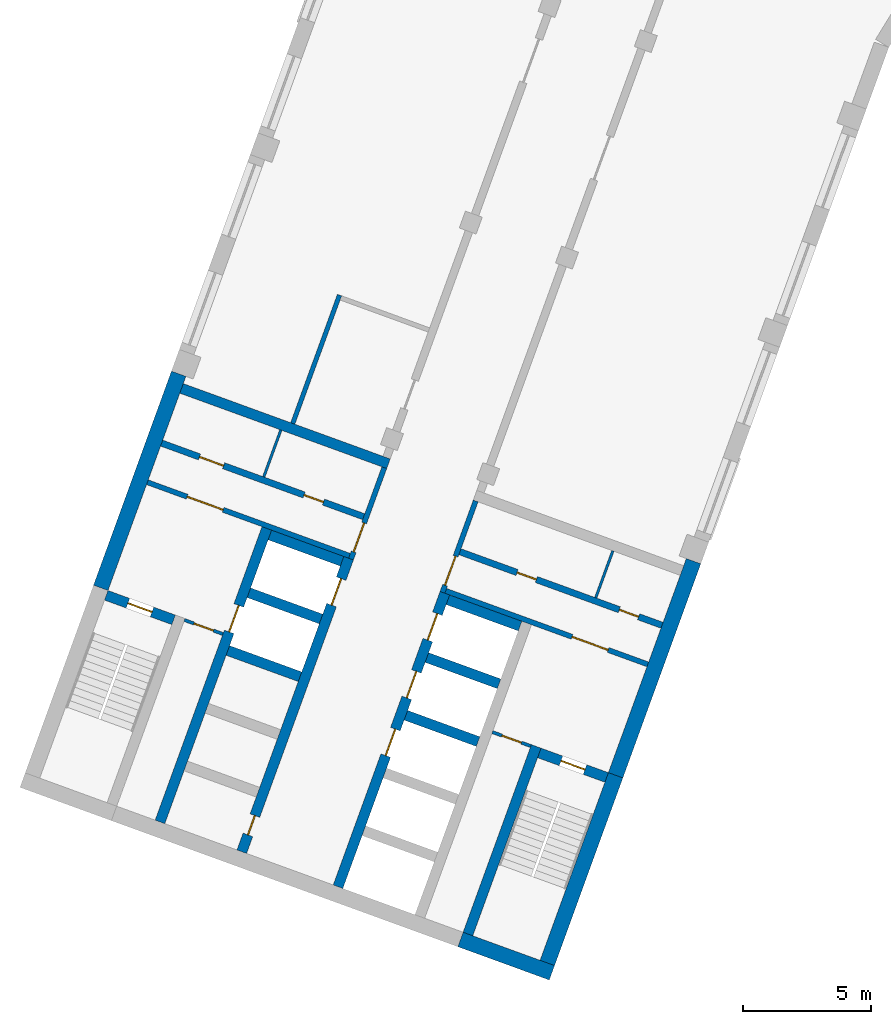
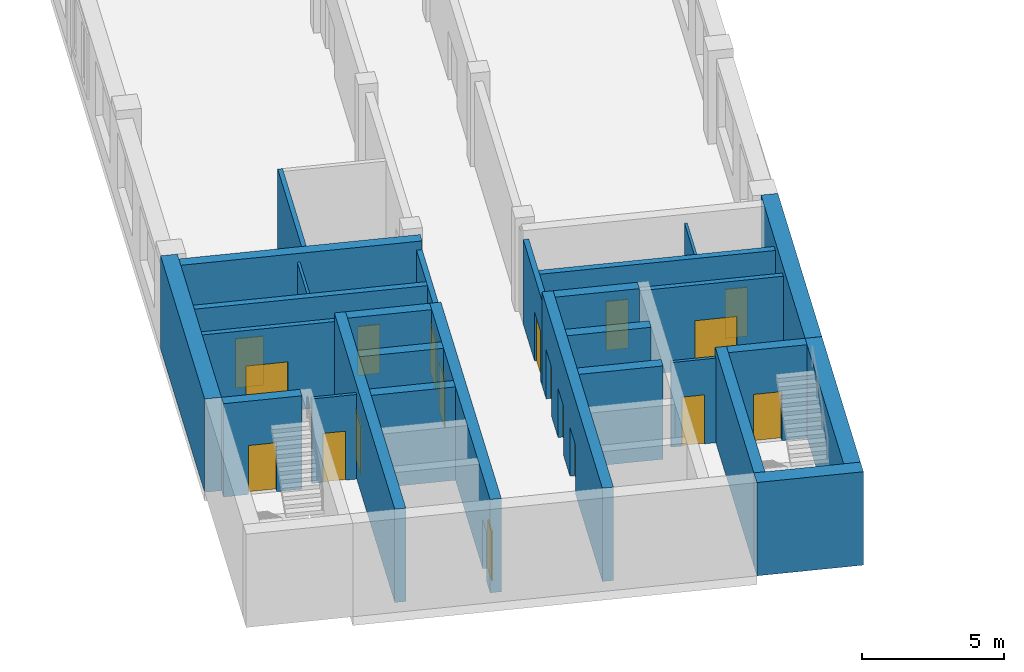
# One storey, part 2 of 12: 28 walls, 18 doors, 18 openings.
"""IFC4 building model written with IfcOpenShell, lengths in metres."""

from ifc_helpers import new_model, si_unit, direction, frame, frame_2d, origin, place, context, subcontext, project, spatial, rectangle, extrude, material, layer, layer_set, type_object, element, fill, save


model = new_model("IFC4")

# Units and contexts
model_context = context("Model", 3, precision=1e-05, world=origin(), true_north=direction((0.0, 1.0)))
body_context = subcontext(model_context, "Body", "Model", "MODEL_VIEW")
ifc_project = project(units=[si_unit("LENGTHUNIT", "METRE"), si_unit("AREAUNIT", "SQUARE_METRE"), si_unit("VOLUMEUNIT", "CUBIC_METRE"), si_unit("PLANEANGLEUNIT", "RADIAN"), si_unit("MASSUNIT", "GRAM", prefix="KILO")], contexts=[model_context])

# Site, building, storey
site_placement = place(None, origin())
site = spatial("IfcSite", under=ifc_project, at=site_placement, CompositionType="ELEMENT")
building_placement = place(site_placement, origin())
building = spatial("IfcBuilding", under=site, at=building_placement, Name="Skarvind Civic Tower", CompositionType="ELEMENT")
storey_placement = place(building_placement, frame((0.0, 0.0, 71.5)))
storey = spatial("IfcBuildingStorey", under=building, at=storey_placement, Name="L16", CompositionType="ELEMENT", Elevation=71.5)

# Wall
ifc_material_1 = material(Name="Acoustic gypsum board on steel studs", Category="steel")
ifc_layer_1 = layer(ifc_material_1, 0.175048828125)
ifc_layer_set_1 = layer_set([ifc_layer_1], Name="ACOUSTIC MEETING-ROOM PARTITION 175")
wall_type_1 = type_object("IfcWallType", Name="ACOUSTIC MEETING-ROOM PARTITION 175", PredefinedType="PARTITIONING", material=ifc_layer_set_1)
wall_1_placement = place(storey_placement, frame((29.216064453125, 98.990966796875, 0.0), z_axis=(0.0, 0.0, 1.0), x_axis=(0.342113991093, 0.939658457685, 0.0)))
element("IfcWall", 1, at=wall_1_placement, inside=storey, type_object=wall_type_1, Name="Partition 16.001", PredefinedType="PARTITIONING", context=body_context, shape_type="SweptSolid", body=[
    extrude(rectangle(XDim=5.337158203125, YDim=0.175048828125, at=frame_2d((2.66845703125, 0.0))), origin(), (0.0, 0.0, 1.0), 3.625),
])

# Wall, opening, door
ifc_material_2 = material(Name="Fire-rated masonry partition", Category="masonry")
ifc_layer_2 = layer(ifc_material_2, 0.199951171875)
ifc_layer_set_2 = layer_set([ifc_layer_2], Name="Core enclosure wall 200")
wall_type_2 = type_object("IfcWallType", Name="Core enclosure wall 200", PredefinedType="PARTITIONING", material=ifc_layer_set_2)
wall_2_placement = place(storey_placement, frame((31.491455078125, 93.693359375, 0.0), z_axis=(0.0, 0.0, 1.0), x_axis=(0.341995824804, 0.939701471648, 0.0)))
wall_2 = element("IfcWall", 2, at=wall_2_placement, inside=storey, type_object=wall_type_2, Name="Core wall C2", PredefinedType="PARTITIONING", context=body_context, shape_type="SweptSolid", body=[
    extrude(rectangle(XDim=3.800048828125, YDim=0.199951171875, at=frame_2d((1.89990234375, 0.0))), origin(), (0.0, 0.0, 1.0), 3.625),
])
opening_1_placement = place(wall_2_placement, frame((0.300048828125, 0.0, 0.0)))
opening_1 = element("IfcOpeningElement", 3, at=opening_1_placement, cuts=wall_2, Name="Opening D-L16-C2-06", PredefinedType="OPENING", context=body_context, shape_type="SweptSolid", body=[
    extrude(rectangle(XDim=1.199951171875, YDim=2.10009765625, at=frame_2d((0.60009765625, 1.050048828125))), frame((0.0, 0.10986328125, 0.0), z_axis=(0.0, -1.0, 0.0), x_axis=(1.0, 0.0, 0.0)), (0.0, 0.0, 1.0), 0.219970703125),
])
ifc_material_3 = material(Name="Fire-rated steel door", Category="steel")
door_type_1 = type_object("IfcDoorType", Name="Core lobby door 1200", OperationType="NOTDEFINED", PredefinedType="DOOR", material=ifc_material_3)
door_1_placement = place(opening_1_placement, origin())
door_1 = element("IfcDoor", 4, at=door_1_placement, inside=storey, type_object=door_type_1, Name="Fire door", OperationType="DOUBLE_DOOR_SINGLE_SWING", OverallHeight=2.10009765625, OverallWidth=1.199951171875, PredefinedType="DOOR", context=body_context, shape_type="SweptSolid", body=[
    extrude(rectangle(XDim=1.199951171875, YDim=2.10009765625, at=frame_2d((0.60009765625, 1.050048828125))), frame((0.0, 0.02490234375, 0.0), z_axis=(0.0, -1.0, 0.0), x_axis=(1.0, 0.0, 0.0)), (0.0, 0.0, 1.0), 0.050048828125),
])
fill(opening_1, door_1)

wall_3_placement = place(storey_placement, frame((23.5380859375, 96.6943359375, 0.0), z_axis=(0.0, 0.0, 1.0), x_axis=(0.939691552312, -0.342023078919, 0.0)))
wall_3 = element("IfcWall", 5, at=wall_3_placement, inside=storey, type_object=wall_type_2, Name="Core wall C2", PredefinedType="PARTITIONING", context=body_context, shape_type="SweptSolid", body=[
    extrude(rectangle(XDim=8.400146484375, YDim=0.199951171875, at=frame_2d((4.2001953125, 0.0))), origin(), (0.0, 0.0, 1.0), 3.625),
])
opening_2_placement = place(wall_3_placement, frame((1.64990234375, 0.0, 0.0)))
opening_2 = element("IfcOpeningElement", 6, at=opening_2_placement, cuts=wall_3, Name="Opening D-L16-C2-07", PredefinedType="OPENING", context=body_context, shape_type="SweptSolid", body=[
    extrude(rectangle(XDim=1.5, YDim=2.10009765625, at=frame_2d((0.75, 1.050048828125))), frame((0.0, 0.10986328125, 0.0), z_axis=(0.0, -1.0, 0.0), x_axis=(1.0, 0.0, 0.0)), (0.0, 0.0, 1.0), 0.219970703125),
])
door_type_2 = type_object("IfcDoorType", Name="Fire door 1500", OperationType="NOTDEFINED", PredefinedType="DOOR", material=ifc_material_3)
door_2_placement = place(opening_2_placement, origin())
door_2 = element("IfcDoor", 7, at=door_2_placement, inside=storey, type_object=door_type_2, Name="Fire door", OperationType="DOUBLE_DOOR_SINGLE_SWING", OverallHeight=2.10009765625, OverallWidth=1.5, PredefinedType="DOOR", context=body_context, shape_type="SweptSolid", body=[
    extrude(rectangle(XDim=1.5, YDim=2.10009765625, at=frame_2d((0.75, 1.050048828125))), frame((0.0, 0.02490234375, 0.0), z_axis=(0.0, -1.0, 0.0), x_axis=(1.0, 0.0, 0.0)), (0.0, 0.0, 1.0), 0.050048828125),
])
fill(opening_2, door_2)

wall_4_placement = place(storey_placement, frame((36.36181640625, 95.96435546875, 0.0), z_axis=(0.0, 0.0, 1.0), x_axis=(-0.341995824804, -0.939701471648, 0.0)))
wall_4 = element("IfcWall", 8, at=wall_4_placement, inside=storey, type_object=wall_type_2, Name="Core wall C2", PredefinedType="PARTITIONING", context=body_context, shape_type="SweptSolid", body=[
    extrude(rectangle(XDim=3.800048828125, YDim=0.199951171875, at=frame_2d((1.89990234375, 0.0))), origin(), (0.0, 0.0, 1.0), 3.625),
])
opening_3_placement = place(wall_4_placement, frame((2.300048828125, 0.0, 0.0)))
opening_3 = element("IfcOpeningElement", 9, at=opening_3_placement, cuts=wall_4, Name="Opening D-L16-C2-12", PredefinedType="OPENING", context=body_context, shape_type="SweptSolid", body=[
    extrude(rectangle(XDim=1.199951171875, YDim=2.10009765625, at=frame_2d((0.60009765625, 1.050048828125))), frame((0.0, 0.10986328125, 0.0), z_axis=(0.0, -1.0, 0.0), x_axis=(1.0, 0.0, 0.0)), (0.0, 0.0, 1.0), 0.219970703125),
])
door_3_placement = place(opening_3_placement, origin())
door_3 = element("IfcDoor", 10, at=door_3_placement, inside=storey, type_object=door_type_1, Name="Fire door", OperationType="DOUBLE_DOOR_SINGLE_SWING", OverallHeight=2.10009765625, OverallWidth=1.199951171875, PredefinedType="DOOR", context=body_context, shape_type="SweptSolid", body=[
    extrude(rectangle(XDim=1.199951171875, YDim=2.10009765625, at=frame_2d((0.60009765625, 1.050048828125))), frame((0.0, 0.02490234375, 0.0), z_axis=(0.0, -1.0, 0.0), x_axis=(1.0, 0.0, 0.0)), (0.0, 0.0, 1.0), 0.050048828125),
])
fill(opening_3, door_3)

wall_5_placement = place(storey_placement, frame((35.1904296875, 92.453369140625, 0.0), z_axis=(0.0, 0.0, 1.0), x_axis=(0.939691552312, -0.342023078919, 0.0)))
wall_5 = element("IfcWall", 11, at=wall_5_placement, inside=storey, type_object=wall_type_2, Name="Core wall C2", PredefinedType="PARTITIONING", context=body_context, shape_type="SweptSolid", body=[
    extrude(rectangle(XDim=8.400146484375, YDim=0.199951171875, at=frame_2d((4.2001953125, 0.0))), origin(), (0.0, 0.0, 1.0), 3.625),
])
opening_4_placement = place(wall_5_placement, frame((5.25, 0.0, 0.0)))
opening_4 = element("IfcOpeningElement", 12, at=opening_4_placement, cuts=wall_5, Name="Opening D-L16-C2-13", PredefinedType="OPENING", context=body_context, shape_type="SweptSolid", body=[
    extrude(rectangle(XDim=1.5, YDim=2.10009765625, at=frame_2d((0.75, 1.050048828125))), frame((0.0, 0.10986328125, 0.0), z_axis=(0.0, -1.0, 0.0), x_axis=(1.0, 0.0, 0.0)), (0.0, 0.0, 1.0), 0.219970703125),
])
door_4_placement = place(opening_4_placement, origin())
door_4 = element("IfcDoor", 13, at=door_4_placement, inside=storey, type_object=door_type_2, Name="Fire door", OperationType="DOUBLE_DOOR_SINGLE_SWING", OverallHeight=2.10009765625, OverallWidth=1.5, PredefinedType="DOOR", context=body_context, shape_type="SweptSolid", body=[
    extrude(rectangle(XDim=1.5, YDim=2.10009765625, at=frame_2d((0.75, 1.050048828125))), frame((0.0, 0.02490234375, 0.0), z_axis=(0.0, -1.0, 0.0), x_axis=(1.0, 0.0, 0.0)), (0.0, 0.0, 1.0), 0.050048828125),
])
fill(opening_4, door_4)

# Walls
ifc_material_4 = material(Name="Fire-rated plasterboard partition")
ifc_layer_3 = layer(ifc_material_4, 0.10009765625)
ifc_layer_set_3 = layer_set([ifc_layer_3], Name="Core partition wall 100")
wall_type_3 = type_object("IfcWallType", Name="Core partition wall 100", PredefinedType="PARTITIONING", material=ifc_layer_set_3)
wall_6_placement = place(storey_placement, frame((28.08349609375, 96.90234375, 0.0), z_axis=(0.0, 0.0, 1.0), x_axis=(0.342024501273, 0.939691034611, 0.0)))
element("IfcWall", 14, at=wall_6_placement, inside=storey, type_object=wall_type_3, Name="Core wall C2", PredefinedType="PARTITIONING", context=body_context, shape_type="SweptSolid", body=[
    extrude(rectangle(XDim=1.9501953125, YDim=0.10009765625, at=frame_2d((0.97509765625, 0.0))), origin(), (0.0, 0.0, 1.0), 3.625),
])
wall_7_placement = place(storey_placement, frame((41.71826171875, 94.014892578125, 0.0), z_axis=(0.0, 0.0, 1.0), x_axis=(-0.342064742067, -0.939676386973, 0.0)))
element("IfcWall", 15, at=wall_7_placement, inside=storey, type_object=wall_type_3, Name="Core wall C2", PredefinedType="PARTITIONING", context=body_context, shape_type="SweptSolid", body=[
    extrude(rectangle(XDim=1.949951171875, YDim=0.10009765625, at=frame_2d((0.97509765625, 0.0))), origin(), (0.0, 0.0, 1.0), 3.625),
])
ifc_material_5 = material(Name="Concrete C80", Category="concrete")
ifc_layer_4 = layer(ifc_material_5, 0.39990234375)
ifc_layer_set_4 = layer_set([ifc_layer_4], Name="Core wall 400 C80")
wall_type_4 = type_object("IfcWallType", Name="Core wall 400 C80", PredefinedType="SHEAR", material=ifc_layer_set_4)
wall_8_placement = place(storey_placement, frame((36.057861328125, 79.04833984375, 0.0), z_axis=(0.0, 0.0, 1.0), x_axis=(0.342016982193, 0.939693771338, 0.0)))
element("IfcWall", 16, at=wall_8_placement, inside=storey, type_object=wall_type_4, Name="Core wall C2 south stair inner L16", PredefinedType="SHEAR", context=body_context, shape_type="SweptSolid", body=[
    extrude(rectangle(XDim=7.800048828125, YDim=0.39990234375, at=frame_2d((3.89990234375, 0.0))), origin(), (0.0, 0.0, 1.0), 4.0),
])

# Wall, opening, door
wall_9_placement = place(storey_placement, frame((41.476318359375, 85.163818359375, 0.0), z_axis=(0.0, 0.0, 1.0), x_axis=(-0.939678810556, 0.342058084236, 0.0)))
wall_9 = element("IfcWall", 17, at=wall_9_placement, inside=storey, type_object=wall_type_4, Name="Core wall C2 south stair end L16", PredefinedType="SHEAR", context=body_context, shape_type="SweptSolid", body=[
    extrude(rectangle(XDim=2.800048828125, YDim=0.39990234375, at=frame_2d((1.39990234375, 0.0))), origin(), (0.0, 0.0, 1.0), 4.0),
])
opening_5_placement = place(wall_9_placement, frame((0.89990234375, 0.0, 0.0)))
opening_5 = element("IfcOpeningElement", 18, at=opening_5_placement, cuts=wall_9, Name="Opening D-L16-C2-14", PredefinedType="OPENING", context=body_context, shape_type="SweptSolid", body=[
    extrude(rectangle(XDim=1.0, YDim=2.10009765625, at=frame_2d((0.5, 1.050048828125))), frame((0.0, 0.2099609375, 0.0), z_axis=(0.0, -1.0, 0.0), x_axis=(1.0, 0.0, 0.0)), (0.0, 0.0, 1.0), 0.419921875),
])
door_type_3 = type_object("IfcDoorType", Name="Fire door 1000", OperationType="NOTDEFINED", PredefinedType="DOOR", material=ifc_material_3)
door_5_placement = place(opening_5_placement, origin())
door_5 = element("IfcDoor", 19, at=door_5_placement, inside=storey, type_object=door_type_3, Name="Fire door", OperationType="SINGLE_SWING_RIGHT", OverallHeight=2.10009765625, OverallWidth=1.0, PredefinedType="DOOR", context=body_context, shape_type="SweptSolid", body=[
    extrude(rectangle(XDim=1.0, YDim=2.10009765625, at=frame_2d((0.5, 1.050048828125))), frame((0.0, 0.02490234375, 0.0), z_axis=(0.0, -1.0, 0.0), x_axis=(1.0, 0.0, 0.0)), (0.0, 0.0, 1.0), 0.050048828125),
])
fill(opening_5, door_5)

wall_10_placement = place(storey_placement, frame((24.56201171875, 91.3203125, 0.0), z_axis=(0.0, 0.0, 1.0), x_axis=(-0.939717030584, 0.341953070509, 0.0)))
wall_10 = element("IfcWall", 20, at=wall_10_placement, inside=storey, type_object=wall_type_4, Name="Core wall C2 north stair end L16", PredefinedType="SHEAR", context=body_context, shape_type="SweptSolid", body=[
    extrude(rectangle(XDim=2.800048828125, YDim=0.39990234375, at=frame_2d((1.39990234375, 0.0))), origin(), (0.0, 0.0, 1.0), 4.0),
])
opening_6_placement = place(wall_10_placement, frame((0.89990234375, 0.0, 0.0)))
opening_6 = element("IfcOpeningElement", 21, at=opening_6_placement, cuts=wall_10, Name="Opening D-L16-C2-08", PredefinedType="OPENING", context=body_context, shape_type="SweptSolid", body=[
    extrude(rectangle(XDim=1.0, YDim=2.10009765625, at=frame_2d((0.5, 1.050048828125))), frame((0.0, 0.2099609375, 0.0), z_axis=(0.0, -1.0, 0.0), x_axis=(1.0, 0.0, 0.0)), (0.0, 0.0, 1.0), 0.419921875),
])
door_6_placement = place(opening_6_placement, origin())
door_6 = element("IfcDoor", 22, at=door_6_placement, inside=storey, type_object=door_type_3, Name="Fire door", OperationType="SINGLE_SWING_LEFT", OverallHeight=2.10009765625, OverallWidth=1.0, PredefinedType="DOOR", context=body_context, shape_type="SweptSolid", body=[
    extrude(rectangle(XDim=1.0, YDim=2.10009765625, at=frame_2d((0.5, 1.050048828125))), frame((0.0, 0.02490234375, 0.0), z_axis=(0.0, -1.0, 0.0), x_axis=(1.0, 0.0, 0.0)), (0.0, 0.0, 1.0), 0.050048828125),
])
fill(opening_6, door_6)

# Wall, openings, doors
wall_11_placement = place(storey_placement, frame((30.983642578125, 80.895263671875, 0.0), z_axis=(0.0, 0.0, 1.0), x_axis=(0.342021021735, 0.939692301071, 0.0)))
wall_11 = element("IfcWall", 23, at=wall_11_placement, inside=storey, type_object=wall_type_4, Name="Core wall C2 south lift row front L16", PredefinedType="SHEAR", context=body_context, shape_type="SweptSolid", body=[
    extrude(rectangle(XDim=12.199951171875, YDim=0.39990234375, at=frame_2d((6.10009765625, 0.0))), origin(), (0.0, 0.0, 1.0), 4.0),
])
opening_7_placement = place(wall_11_placement, frame((5.449951171875, 0.0, 0.0)))
opening_7 = element("IfcOpeningElement", 24, at=opening_7_placement, cuts=wall_11, Name="Opening LD18208", PredefinedType="OPENING", context=body_context, shape_type="SweptSolid", body=[
    extrude(rectangle(XDim=1.10009765625, YDim=2.10009765625, at=frame_2d((0.550048828125, 1.050048828125))), frame((0.0, 0.2099609375, 0.0), z_axis=(0.0, -1.0, 0.0), x_axis=(1.0, 0.0, 0.0)), (0.0, 0.0, 1.0), 0.419921875),
])
opening_8_placement = place(wall_11_placement, frame((7.85009765625, 0.0, 0.0)))
opening_8 = element("IfcOpeningElement", 25, at=opening_8_placement, cuts=wall_11, Name="Opening LD18209", PredefinedType="OPENING", context=body_context, shape_type="SweptSolid", body=[
    extrude(rectangle(XDim=1.10009765625, YDim=2.10009765625, at=frame_2d((0.550048828125, 1.050048828125))), frame((0.0, 0.2099609375, 0.0), z_axis=(0.0, -1.0, 0.0), x_axis=(1.0, 0.0, 0.0)), (0.0, 0.0, 1.0), 0.419921875),
])
opening_9_placement = place(wall_11_placement, frame((10.25, 0.0, 0.0)))
opening_9 = element("IfcOpeningElement", 26, at=opening_9_placement, cuts=wall_11, Name="Opening LD18210", PredefinedType="OPENING", context=body_context, shape_type="SweptSolid", body=[
    extrude(rectangle(XDim=1.10009765625, YDim=2.10009765625, at=frame_2d((0.550048828125, 1.050048828125))), frame((0.0, 0.2099609375, 0.0), z_axis=(0.0, -1.0, 0.0), x_axis=(1.0, 0.0, 0.0)), (0.0, 0.0, 1.0), 0.419921875),
])
ifc_material_6 = material(Name="Stainless steel landing door", Category="steel")
door_type_4 = type_object("IfcDoorType", Name="Lift landing door 1100", OperationType="DOUBLE_DOOR_SLIDING", PredefinedType="DOOR", material=ifc_material_6)
door_7_placement = place(opening_7_placement, origin())
door_7 = element("IfcDoor", 27, at=door_7_placement, inside=storey, type_object=door_type_4, Name="Lift landing door", OperationType="DOUBLE_DOOR_SLIDING", OverallHeight=2.10009765625, OverallWidth=1.10009765625, PredefinedType="DOOR", context=body_context, shape_type="SweptSolid", body=[
    extrude(rectangle(XDim=1.10009765625, YDim=2.10009765625, at=frame_2d((0.550048828125, 1.050048828125))), frame((0.0, 0.02490234375, 0.0), z_axis=(0.0, -1.0, 0.0), x_axis=(1.0, 0.0, 0.0)), (0.0, 0.0, 1.0), 0.050048828125),
])
fill(opening_7, door_7)
door_8_placement = place(opening_8_placement, origin())
door_8 = element("IfcDoor", 28, at=door_8_placement, inside=storey, type_object=door_type_4, Name="Lift landing door", OperationType="DOUBLE_DOOR_SLIDING", OverallHeight=2.10009765625, OverallWidth=1.10009765625, PredefinedType="DOOR", context=body_context, shape_type="SweptSolid", body=[
    extrude(rectangle(XDim=1.10009765625, YDim=2.10009765625, at=frame_2d((0.550048828125, 1.050048828125))), frame((0.0, 0.02490234375, 0.0), z_axis=(0.0, -1.0, 0.0), x_axis=(1.0, 0.0, 0.0)), (0.0, 0.0, 1.0), 0.050048828125),
])
fill(opening_8, door_8)
door_9_placement = place(opening_9_placement, origin())
door_9 = element("IfcDoor", 29, at=door_9_placement, inside=storey, type_object=door_type_4, Name="Lift landing door", OperationType="DOUBLE_DOOR_SLIDING", OverallHeight=2.10009765625, OverallWidth=1.10009765625, PredefinedType="DOOR", context=body_context, shape_type="SweptSolid", body=[
    extrude(rectangle(XDim=1.10009765625, YDim=2.10009765625, at=frame_2d((0.550048828125, 1.050048828125))), frame((0.0, 0.02490234375, 0.0), z_axis=(0.0, -1.0, 0.0), x_axis=(1.0, 0.0, 0.0)), (0.0, 0.0, 1.0), 0.050048828125),
])
fill(opening_9, door_9)

# Walls
for number, where, z_axis, x_axis, name in (
    (30, (36.453125, 86.56640625, 0.0), (0.0, 0.0, 1.0), (-0.939686455819, 0.342037080957, 0.0), "Core wall C2 south lift row division 3 L16"),
    (31, (37.27392578125, 88.82177734375, 0.0), (0.0, 0.0, 1.0), (-0.939686455819, 0.342037080957, 0.0), "Core wall C2 south lift row division 4 L16"),
):
    element("IfcWall", number, at=place(storey_placement, frame(where, z_axis=z_axis, x_axis=x_axis)), inside=storey, type_object=wall_type_4, Name=name, PredefinedType="SHEAR", context=body_context, shape_type="SweptSolid", body=[
        extrude(rectangle(XDim=3.0, YDim=0.39990234375, at=frame_2d((1.5, 0.0))), origin(), (0.0, 0.0, 1.0), 4.0),
    ])
wall_12_placement = place(storey_placement, frame((38.0947265625, 91.076904296875, 0.0), z_axis=(0.0, 0.0, 1.0), x_axis=(-0.939676934218, 0.342063238742, 0.0)))
element("IfcWall", 32, at=wall_12_placement, inside=storey, type_object=wall_type_4, Name="Core wall C2 south lift row division 5 L16", PredefinedType="SHEAR", context=body_context, shape_type="SweptSolid", body=[
    extrude(rectangle(XDim=2.999755859375, YDim=0.39990234375, at=frame_2d((1.5, 0.0))), origin(), (0.0, 0.0, 1.0), 4.0),
])

# Wall, openings, doors
wall_13_placement = place(storey_placement, frame((27.224853515625, 82.26318359375, 0.0), z_axis=(0.0, 0.0, 1.0), x_axis=(0.342014590177, 0.939694641948, 0.0)))
wall_13 = element("IfcWall", 33, at=wall_13_placement, inside=storey, type_object=wall_type_4, Name="Core wall C2 north lift row front L16", PredefinedType="SHEAR", context=body_context, shape_type="SweptSolid", body=[
    extrude(rectangle(XDim=12.2001953125, YDim=0.39990234375, at=frame_2d((6.10009765625, 0.0))), origin(), (0.0, 0.0, 1.0), 4.0),
])
opening_10_placement = place(wall_13_placement, frame((10.25, 0.0, 0.0)))
opening_10 = element("IfcOpeningElement", 34, at=opening_10_placement, cuts=wall_13, Name="Opening LD18205", PredefinedType="OPENING", context=body_context, shape_type="SweptSolid", body=[
    extrude(rectangle(XDim=1.10009765625, YDim=2.10009765625, at=frame_2d((0.550048828125, 1.050048828125))), frame((0.0, 0.2099609375, 0.0), z_axis=(0.0, -1.0, 0.0), x_axis=(1.0, 0.0, 0.0)), (0.0, 0.0, 1.0), 0.419921875),
])
opening_11_placement = place(wall_13_placement, frame((0.699951171875, 0.0, 0.0)))
opening_11 = element("IfcOpeningElement", 35, at=opening_11_placement, cuts=wall_13, Name="Opening D-L16-C2-05", PredefinedType="OPENING", context=body_context, shape_type="SweptSolid", body=[
    extrude(rectangle(XDim=0.800048828125, YDim=2.10009765625, at=frame_2d((0.39990234375, 1.050048828125))), frame((0.0, 0.2099609375, 0.0), z_axis=(0.0, -1.0, 0.0), x_axis=(1.0, 0.0, 0.0)), (0.0, 0.0, 1.0), 0.419921875),
])
door_type_5 = type_object("IfcDoorType", Name="Core riser door 800", OperationType="NOTDEFINED", PredefinedType="DOOR", material=ifc_material_3)
door_10_placement = place(opening_11_placement, origin())
door_10 = element("IfcDoor", 36, at=door_10_placement, inside=storey, type_object=door_type_5, Name="Riser door", OperationType="SINGLE_SWING_LEFT", OverallHeight=2.10009765625, OverallWidth=0.800048828125, PredefinedType="DOOR", context=body_context, shape_type="SweptSolid", body=[
    extrude(rectangle(XDim=0.800048828125, YDim=2.10009765625, at=frame_2d((0.39990234375, 1.050048828125))), frame((0.0, 0.02490234375, 0.0), z_axis=(0.0, -1.0, 0.0), x_axis=(1.0, 0.0, 0.0)), (0.0, 0.0, 1.0), 0.050048828125),
])
fill(opening_11, door_10)
door_11_placement = place(opening_10_placement, origin())
door_11 = element("IfcDoor", 37, at=door_11_placement, inside=storey, type_object=door_type_4, Name="Lift landing door", OperationType="DOUBLE_DOOR_SLIDING", OverallHeight=2.10009765625, OverallWidth=1.10009765625, PredefinedType="DOOR", context=body_context, shape_type="SweptSolid", body=[
    extrude(rectangle(XDim=1.10009765625, YDim=2.10009765625, at=frame_2d((0.550048828125, 1.050048828125))), frame((0.0, 0.02490234375, 0.0), z_axis=(0.0, -1.0, 0.0), x_axis=(1.0, 0.0, 0.0)), (0.0, 0.0, 1.0), 0.050048828125),
])
fill(opening_10, door_11)

# Wall, opening, door
wall_14_placement = place(storey_placement, frame((24.02978515625, 83.426025390625, 0.0), z_axis=(0.0, 0.0, 1.0), x_axis=(0.342014590177, 0.939694641948, 0.0)))
wall_14 = element("IfcWall", 38, at=wall_14_placement, inside=storey, type_object=wall_type_4, Name="Core wall C2 north lift row back L16", PredefinedType="SHEAR", context=body_context, shape_type="SweptSolid", body=[
    extrude(rectangle(XDim=12.2001953125, YDim=0.39990234375, at=frame_2d((6.10009765625, 0.0))), origin(), (0.0, 0.0, 1.0), 4.0),
])
opening_12_placement = place(wall_14_placement, frame((7.89990234375, 0.0, 0.0)))
opening_12 = element("IfcOpeningElement", 39, at=opening_12_placement, cuts=wall_14, Name="Opening LD18204", PredefinedType="OPENING", context=body_context, shape_type="SweptSolid", body=[
    extrude(rectangle(XDim=1.10009765625, YDim=2.10009765625, at=frame_2d((0.550048828125, 1.050048828125))), frame((0.0, 0.2099609375, 0.0), z_axis=(0.0, -1.0, 0.0), x_axis=(1.0, 0.0, 0.0)), (0.0, 0.0, 1.0), 0.419921875),
])
door_12_placement = place(opening_12_placement, origin())
door_12 = element("IfcDoor", 40, at=door_12_placement, inside=storey, type_object=door_type_4, Name="Lift landing door", OperationType="DOUBLE_DOOR_SLIDING", OverallHeight=2.10009765625, OverallWidth=1.10009765625, PredefinedType="DOOR", context=body_context, shape_type="SweptSolid", body=[
    extrude(rectangle(XDim=1.10009765625, YDim=2.10009765625, at=frame_2d((0.550048828125, 1.050048828125))), frame((0.0, 0.02490234375, 0.0), z_axis=(0.0, -1.0, 0.0), x_axis=(1.0, 0.0, 0.0)), (0.0, 0.0, 1.0), 0.050048828125),
])
fill(opening_12, door_12)

# Walls
for number, where, z_axis, x_axis, name in (
    (41, (29.49951171875, 89.097412109375, 0.0), (0.0, 0.0, 1.0), (-0.939686455819, 0.342037080957, 0.0), "Core wall C2 north lift row division 3 L16"),
    (42, (30.3203125, 91.352783203125, 0.0), (0.0, 0.0, 1.0), (-0.939712609717, 0.341965219194, 0.0), "Core wall C2 north lift row division 4 L16"),
    (43, (31.14111328125, 93.60791015625, 0.0), (0.0, 0.0, 1.0), (-0.939686455819, 0.342037080957, 0.0), "Core wall C2 north lift row division 5 L16"),
):
    element("IfcWall", number, at=place(storey_placement, frame(where, z_axis=z_axis, x_axis=x_axis)), inside=storey, type_object=wall_type_4, Name=name, PredefinedType="SHEAR", context=body_context, shape_type="SweptSolid", body=[
        extrude(rectangle(XDim=3.0, YDim=0.39990234375, at=frame_2d((1.5, 0.0))), origin(), (0.0, 0.0, 1.0), 4.0),
    ])
wall_15_placement = place(storey_placement, frame((32.953369140625, 97.417724609375, 0.0), z_axis=(0.0, 0.0, 1.0), x_axis=(-0.93969060187, 0.342025690201, 0.0)))
element("IfcWall", 44, at=wall_15_placement, inside=storey, type_object=wall_type_4, Name="Core wall C2 north inner face L16", PredefinedType="SHEAR", context=body_context, shape_type="SweptSolid", body=[
    extrude(rectangle(XDim=8.599853515625, YDim=0.39990234375, at=frame_2d((4.2998046875, 0.0))), origin(), (0.0, 0.0, 1.0), 4.0),
])
ifc_layer_5 = layer(ifc_material_5, 0.60009765625)
ifc_layer_set_5 = layer_set([ifc_layer_5], Name="Core wall 600 C80")
wall_type_5 = type_object("IfcWallType", Name="Core wall 600 C80", PredefinedType="SHEAR", material=ifc_layer_set_5)
wall_16_placement = place(storey_placement, frame((39.338134765625, 77.53515625, 0.0), z_axis=(0.0, 0.0, 1.0), x_axis=(-0.939701471648, 0.341995824804, 0.0)))
element("IfcWall", 45, at=wall_16_placement, inside=storey, type_object=wall_type_5, Name="Core wall C2 tip at the south stair L16", PredefinedType="SHEAR", context=body_context, shape_type="SweptSolid", body=[
    extrude(rectangle(XDim=3.800048828125, YDim=0.60009765625, at=frame_2d((1.89990234375, 0.0))), origin(), (0.0, 0.0, 1.0), 4.0),
])
wall_17_placement = place(storey_placement, frame((39.158935546875, 77.919677734375, 0.0), z_axis=(0.0, 0.0, 1.0), x_axis=(0.342016982193, 0.939693771338, 0.0)))
element("IfcWall", 46, at=wall_17_placement, inside=storey, type_object=wall_type_5, Name="Core wall C2 south side at the stair L16", PredefinedType="SHEAR", context=body_context, shape_type="SweptSolid", body=[
    extrude(rectangle(XDim=7.800048828125, YDim=0.60009765625, at=frame_2d((3.89990234375, 0.0))), origin(), (0.0, 0.0, 1.0), 4.0),
])
for number, where, z_axis, x_axis, name in (
    (47, (41.82666015625, 85.249267578125, 0.0), (0.0, 0.0, 1.0), (0.342016162452, 0.939694069696, 0.0), "Core wall C2 south side L16"),
    (48, (21.71728515625, 92.568359375, 0.0), (0.0, 0.0, 1.0), (0.342016162452, 0.939694069696, 0.0), "Core wall C2 north side L16"),
):
    element("IfcWall", number, at=place(storey_placement, frame(where, z_axis=z_axis, x_axis=x_axis)), inside=storey, type_object=wall_type_5, Name=name, PredefinedType="SHEAR", context=body_context, shape_type="SweptSolid", body=[
        extrude(rectangle(XDim=8.89990234375, YDim=0.60009765625, at=frame_2d((4.449951171875, 0.0))), origin(), (0.0, 0.0, 1.0), 4.0),
    ])

# Wall, opening, door
ifc_layer_6 = layer(ifc_material_2, 0.125)
ifc_layer_set_6 = layer_set([ifc_layer_6], Name="Riser wall 125")
wall_type_6 = type_object("IfcWallType", Name="Riser wall 125", PredefinedType="PARTITIONING", material=ifc_layer_set_6)
wall_18_placement = place(storey_placement, frame((24.98486328125, 91.3125, 0.0), z_axis=(0.0, 0.0, 1.0), x_axis=(0.939708740826, -0.341975850632, 0.0)))
wall_18 = element("IfcWall", 49, at=wall_18_placement, inside=storey, type_object=wall_type_6, Name="Core wall C2", PredefinedType="PARTITIONING", context=body_context, shape_type="SweptSolid", body=[
    extrude(rectangle(XDim=1.599853515625, YDim=0.125, at=frame_2d((0.7998046875, 0.0))), origin(), (0.0, 0.0, 1.0), 3.625),
])
opening_13_placement = place(wall_18_placement, frame((0.39990234375, 0.0, 0.0)))
opening_13 = element("IfcOpeningElement", 50, at=opening_13_placement, cuts=wall_18, Name="Opening D-L16-C2-09", PredefinedType="OPENING", context=body_context, shape_type="SweptSolid", body=[
    extrude(rectangle(XDim=0.800048828125, YDim=2.10009765625, at=frame_2d((0.39990234375, 1.050048828125))), frame((0.0, 0.072509765625, 0.0), z_axis=(0.0, -1.0, 0.0), x_axis=(1.0, 0.0, 0.0)), (0.0, 0.0, 1.0), 0.14501953125),
])
door_13_placement = place(opening_13_placement, origin())
door_13 = element("IfcDoor", 51, at=door_13_placement, inside=storey, type_object=door_type_5, Name="Riser door", OperationType="SINGLE_SWING_RIGHT", OverallHeight=2.10009765625, OverallWidth=0.800048828125, PredefinedType="DOOR", context=body_context, shape_type="SweptSolid", body=[
    extrude(rectangle(XDim=0.800048828125, YDim=2.10009765625, at=frame_2d((0.39990234375, 1.050048828125))), frame((0.0, 0.02490234375, 0.0), z_axis=(0.0, -1.0, 0.0), x_axis=(1.0, 0.0, 0.0)), (0.0, 0.0, 1.0), 0.050048828125),
])
fill(opening_13, door_13)

wall_19_placement = place(storey_placement, frame((37.012939453125, 86.934814453125, 0.0), z_axis=(0.0, 0.0, 1.0), x_axis=(0.939659694648, -0.342110593602, 0.0)))
wall_19 = element("IfcWall", 52, at=wall_19_placement, inside=storey, type_object=wall_type_6, Name="Core wall C2", PredefinedType="PARTITIONING", context=body_context, shape_type="SweptSolid", body=[
    extrude(rectangle(XDim=1.599853515625, YDim=0.125, at=frame_2d((0.7998046875, 0.0))), origin(), (0.0, 0.0, 1.0), 3.625),
])
opening_14_placement = place(wall_19_placement, frame((0.39990234375, 0.0, 0.0)))
opening_14 = element("IfcOpeningElement", 53, at=opening_14_placement, cuts=wall_19, Name="Opening D-L16-C2-15", PredefinedType="OPENING", context=body_context, shape_type="SweptSolid", body=[
    extrude(rectangle(XDim=0.800048828125, YDim=2.10009765625, at=frame_2d((0.39990234375, 1.050048828125))), frame((0.0, 0.072509765625, 0.0), z_axis=(0.0, -1.0, 0.0), x_axis=(1.0, 0.0, 0.0)), (0.0, 0.0, 1.0), 0.14501953125),
])
door_14_placement = place(opening_14_placement, origin())
door_14 = element("IfcDoor", 54, at=door_14_placement, inside=storey, type_object=door_type_5, Name="Riser door", OperationType="SINGLE_SWING_LEFT", OverallHeight=2.10009765625, OverallWidth=0.800048828125, PredefinedType="DOOR", context=body_context, shape_type="SweptSolid", body=[
    extrude(rectangle(XDim=0.800048828125, YDim=2.10009765625, at=frame_2d((0.39990234375, 1.050048828125))), frame((0.0, 0.02490234375, 0.0), z_axis=(0.0, -1.0, 0.0), x_axis=(1.0, 0.0, 0.0)), (0.0, 0.0, 1.0), 0.050048828125),
])
fill(opening_14, door_14)

# Wall, openings, doors
ifc_layer_7 = layer(ifc_material_2, 0.25)
ifc_layer_set_7 = layer_set([ifc_layer_7], Name="Service block wall 250")
wall_type_7 = type_object("IfcWallType", Name="Service block wall 250", PredefinedType="PARTITIONING", material=ifc_layer_set_7)
wall_20_placement = place(storey_placement, frame((24.093994140625, 98.221435546875, 0.0), z_axis=(0.0, 0.0, 1.0), x_axis=(0.939691552312, -0.342023078919, 0.0)))
wall_20 = element("IfcWall", 55, at=wall_20_placement, inside=storey, type_object=wall_type_7, Name="Core wall C2", PredefinedType="PARTITIONING", context=body_context, shape_type="SweptSolid", body=[
    extrude(rectangle(XDim=8.400146484375, YDim=0.25, at=frame_2d((4.2001953125, 0.0))), origin(), (0.0, 0.0, 1.0), 3.625),
])
opening_15_placement = place(wall_20_placement, frame((5.925048828125, 0.0, 0.0)))
opening_15 = element("IfcOpeningElement", 56, at=opening_15_placement, cuts=wall_20, Name="Opening D-L16-C2-10", PredefinedType="OPENING", context=body_context, shape_type="SweptSolid", body=[
    extrude(rectangle(XDim=0.800048828125, YDim=2.10009765625, at=frame_2d((0.39990234375, 1.050048828125))), frame((0.0, 0.135009765625, 0.0), z_axis=(0.0, -1.0, 0.0), x_axis=(1.0, 0.0, 0.0)), (0.0, 0.0, 1.0), 0.27001953125),
])
opening_16_placement = place(wall_20_placement, frame((1.574951171875, 0.0, 0.0)))
opening_16 = element("IfcOpeningElement", 57, at=opening_16_placement, cuts=wall_20, Name="Opening D-L16-C2-11", PredefinedType="OPENING", context=body_context, shape_type="SweptSolid", body=[
    extrude(rectangle(XDim=1.0, YDim=2.10009765625, at=frame_2d((0.5, 1.050048828125))), frame((0.0, 0.135009765625, 0.0), z_axis=(0.0, -1.0, 0.0), x_axis=(1.0, 0.0, 0.0)), (0.0, 0.0, 1.0), 0.27001953125),
])
door_15_placement = place(opening_15_placement, origin())
door_15 = element("IfcDoor", 58, at=door_15_placement, inside=storey, type_object=door_type_5, Name="Riser door", OperationType="SINGLE_SWING_LEFT", OverallHeight=2.10009765625, OverallWidth=0.800048828125, PredefinedType="DOOR", context=body_context, shape_type="SweptSolid", body=[
    extrude(rectangle(XDim=0.800048828125, YDim=2.10009765625, at=frame_2d((0.39990234375, 1.050048828125))), frame((0.0, 0.02490234375, 0.0), z_axis=(0.0, -1.0, 0.0), x_axis=(1.0, 0.0, 0.0)), (0.0, 0.0, 1.0), 0.050048828125),
])
fill(opening_15, door_15)
door_16_placement = place(opening_16_placement, origin())
door_16 = element("IfcDoor", 59, at=door_16_placement, inside=storey, type_object=door_type_3, Name="Fire door", OperationType="SINGLE_SWING_RIGHT", OverallHeight=2.10009765625, OverallWidth=1.0, PredefinedType="DOOR", context=body_context, shape_type="SweptSolid", body=[
    extrude(rectangle(XDim=1.0, YDim=2.10009765625, at=frame_2d((0.5, 1.050048828125))), frame((0.0, 0.02490234375, 0.0), z_axis=(0.0, -1.0, 0.0), x_axis=(1.0, 0.0, 0.0)), (0.0, 0.0, 1.0), 0.050048828125),
])
fill(opening_16, door_16)

wall_21_placement = place(storey_placement, frame((35.74609375, 93.98046875, 0.0), z_axis=(0.0, 0.0, 1.0), x_axis=(0.939691552312, -0.342023078919, 0.0)))
wall_21 = element("IfcWall", 60, at=wall_21_placement, inside=storey, type_object=wall_type_7, Name="Core wall C2", PredefinedType="PARTITIONING", context=body_context, shape_type="SweptSolid", body=[
    extrude(rectangle(XDim=8.400146484375, YDim=0.25, at=frame_2d((4.2001953125, 0.0))), origin(), (0.0, 0.0, 1.0), 3.625),
])
opening_17_placement = place(wall_21_placement, frame((2.375, 0.0, 0.0)))
opening_17 = element("IfcOpeningElement", 61, at=opening_17_placement, cuts=wall_21, Name="Opening D-L16-C2-16", PredefinedType="OPENING", context=body_context, shape_type="SweptSolid", body=[
    extrude(rectangle(XDim=0.800048828125, YDim=2.10009765625, at=frame_2d((0.39990234375, 1.050048828125))), frame((0.0, 0.135009765625, 0.0), z_axis=(0.0, -1.0, 0.0), x_axis=(1.0, 0.0, 0.0)), (0.0, 0.0, 1.0), 0.27001953125),
])
opening_18_placement = place(wall_21_placement, frame((6.625, 0.0, 0.0)))
opening_18 = element("IfcOpeningElement", 62, at=opening_18_placement, cuts=wall_21, Name="Opening D-L16-C2-17", PredefinedType="OPENING", context=body_context, shape_type="SweptSolid", body=[
    extrude(rectangle(XDim=0.800048828125, YDim=2.10009765625, at=frame_2d((0.39990234375, 1.050048828125))), frame((0.0, 0.135009765625, 0.0), z_axis=(0.0, -1.0, 0.0), x_axis=(1.0, 0.0, 0.0)), (0.0, 0.0, 1.0), 0.27001953125),
])
door_17_placement = place(opening_17_placement, origin())
door_17 = element("IfcDoor", 63, at=door_17_placement, inside=storey, type_object=door_type_5, Name="Riser door", OperationType="SINGLE_SWING_RIGHT", OverallHeight=2.10009765625, OverallWidth=0.800048828125, PredefinedType="DOOR", context=body_context, shape_type="SweptSolid", body=[
    extrude(rectangle(XDim=0.800048828125, YDim=2.10009765625, at=frame_2d((0.39990234375, 1.050048828125))), frame((0.0, 0.02490234375, 0.0), z_axis=(0.0, -1.0, 0.0), x_axis=(1.0, 0.0, 0.0)), (0.0, 0.0, 1.0), 0.050048828125),
])
fill(opening_17, door_17)
door_18_placement = place(opening_18_placement, origin())
door_18 = element("IfcDoor", 64, at=door_18_placement, inside=storey, type_object=door_type_5, Name="Riser door", OperationType="SINGLE_SWING_LEFT", OverallHeight=2.10009765625, OverallWidth=0.800048828125, PredefinedType="DOOR", context=body_context, shape_type="SweptSolid", body=[
    extrude(rectangle(XDim=0.800048828125, YDim=2.10009765625, at=frame_2d((0.39990234375, 1.050048828125))), frame((0.0, 0.02490234375, 0.0), z_axis=(0.0, -1.0, 0.0), x_axis=(1.0, 0.0, 0.0)), (0.0, 0.0, 1.0), 0.050048828125),
])
fill(opening_18, door_18)

save(model, "model.ifc")
